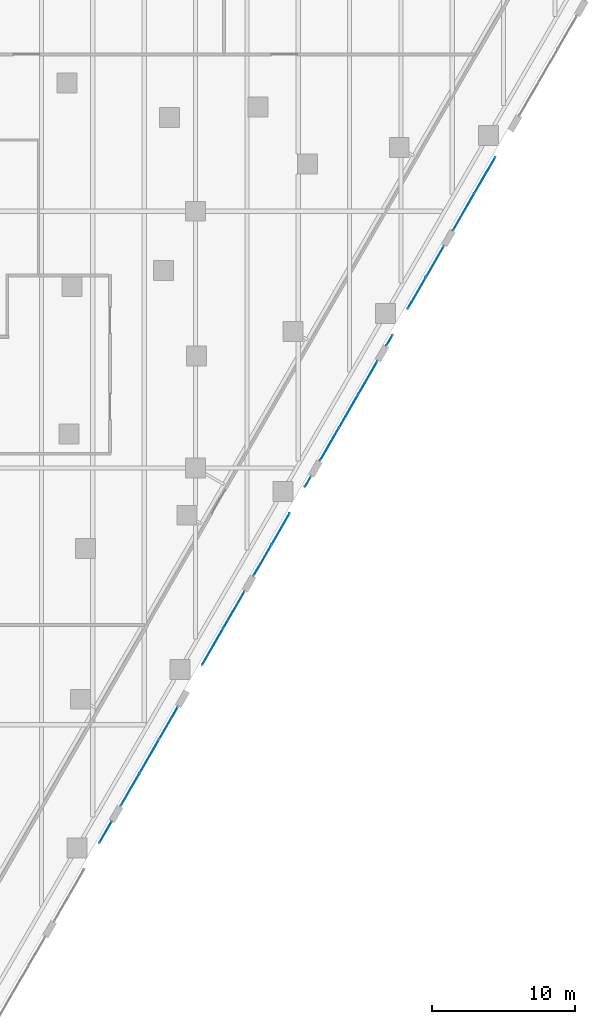
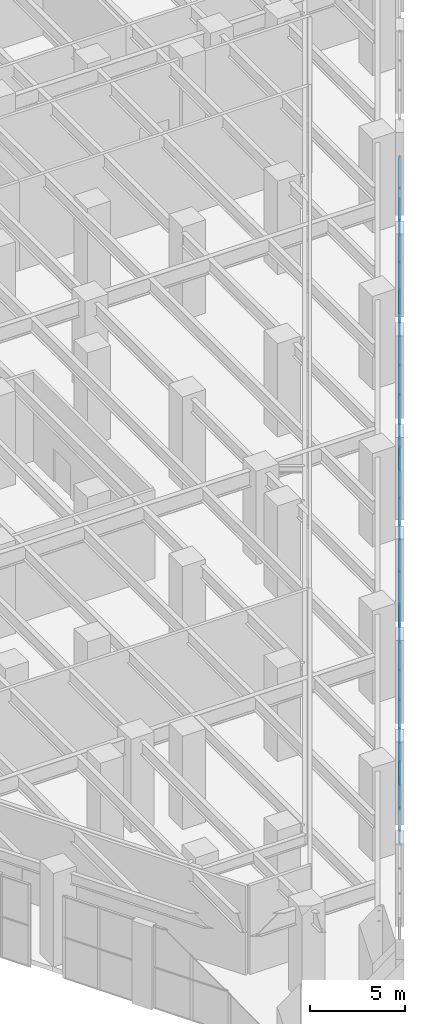
# One storey, part 27 of 37: 34 plates, 9 elements without a shape of their own.
"""IFC4 building model written with IfcOpenShell, lengths in metres."""

from ifc_helpers import new_model, si_unit, direction, frame, origin, origin_2d, place, context, subcontext, project, spatial, rectangle, extrude, material, layer, layer_set, type_object, element, aggregate, save


model = new_model("IFC4")

# Units and contexts
model_context = context("Model", 3, precision=1e-05, world=origin(), true_north=direction((0.0, 1.0)))
body_context = subcontext(model_context, "Body", "Model", "MODEL_VIEW")
ifc_project = project(units=[si_unit("LENGTHUNIT", "METRE"), si_unit("AREAUNIT", "SQUARE_METRE"), si_unit("VOLUMEUNIT", "CUBIC_METRE"), si_unit("PLANEANGLEUNIT", "RADIAN"), si_unit("MASSUNIT", "GRAM", prefix="KILO")], contexts=[model_context])

# Site, building, storey
site_placement = place(None, origin())
site = spatial("IfcSite", under=ifc_project, at=site_placement, CompositionType="ELEMENT")
building_placement = place(site_placement, origin())
building = spatial("IfcBuilding", under=site, at=building_placement, Name="Aloe Facet Convention Tower", CompositionType="ELEMENT")
storey_placement = place(building_placement, frame((0.0, 0.0, 7.5)))
storey = spatial("IfcBuildingStorey", under=building, at=storey_placement, Name="L01", CompositionType="ELEMENT", Elevation=7.5)

# Curtain wall, plates
ifc_material_1 = material(Name="Aluminium, anodised", Category="aluminium")
curtain_wall_type = type_object("IfcCurtainWallType", Name="EV-CW-SHOP", PredefinedType="USERDEFINED", material=ifc_material_1)
curtain_wall_1_placement = place(storey_placement, origin())
curtain_wall_1 = element("IfcCurtainWall", 1, at=curtain_wall_1_placement, inside=storey, type_object=curtain_wall_type, Name="CW-L01-E04-2", ObjectType="STICK SHOPFRONT GLAZING", PredefinedType="USERDEFINED")
ifc_material_2 = material(Name="Clear double glazing", Category="glass")
ifc_layer = layer(ifc_material_2, 0.028076171875)
ifc_layer_set = layer_set([ifc_layer], Name="EV-PANEL-SHOP")
plate_type = type_object("IfcPlateType", Name="EV-PANEL-SHOP", PredefinedType="CURTAIN_PANEL", material=ifc_layer_set)
plate_1_placement = place(storey_placement, frame((91.67822265625, 55.447998046875, -0.23974609375), z_axis=(0.0, 0.0, 1.0), x_axis=(0.500000000121, 0.866025403715, 0.0)))
plate_1 = element("IfcPlate", 2, at=plate_1_placement, type_object=plate_type, Name="CW-L01-E04-2 panel 1.1", PredefinedType="CURTAIN_PANEL", context=body_context, shape_type="SweptSolid", body=[
    extrude(rectangle(XDim=1.6728515625, YDim=0.028076171875, at=origin_2d()), origin(), (0.0, 0.0, 1.0), 2.566162109375),
])
plate_2_placement = place(storey_placement, frame((91.67822265625, 55.447998046875, 2.38623046875), z_axis=(0.0, 0.0, 1.0), x_axis=(0.500000000121, 0.866025403715, 0.0)))
plate_2 = element("IfcPlate", 3, at=plate_2_placement, type_object=plate_type, Name="CW-L01-E04-2 panel 1.2", PredefinedType="CURTAIN_PANEL", context=body_context, shape_type="SweptSolid", body=[
    extrude(rectangle(XDim=1.6728515625, YDim=0.028076171875, at=origin_2d()), origin(), (0.0, 0.0, 1.0), 2.566162109375),
])
aggregate(curtain_wall_1, [plate_1, plate_2])

curtain_wall_2_placement = place(storey_placement, origin())
curtain_wall_2 = element("IfcCurtainWall", 4, at=curtain_wall_2_placement, inside=storey, type_object=curtain_wall_type, Name="CW-L01-E06", ObjectType="STICK SHOPFRONT GLAZING", PredefinedType="USERDEFINED")
plate_3_placement = place(storey_placement, frame((93.410888671875, 58.44873046875, -0.23974609375), z_axis=(0.0, 0.0, 1.0), x_axis=(0.499999999924, 0.866025403828, 0.0)))
plate_3 = element("IfcPlate", 5, at=plate_3_placement, type_object=plate_type, Name="CW-L01-E06 panel 1.1", PredefinedType="CURTAIN_PANEL", context=body_context, shape_type="SweptSolid", body=[
    extrude(rectangle(XDim=2.6171875, YDim=0.028076171875, at=origin_2d()), origin(), (0.0, 0.0, 1.0), 2.566162109375),
])
plate_4_placement = place(storey_placement, frame((93.410888671875, 58.44873046875, 2.38623046875), z_axis=(0.0, 0.0, 1.0), x_axis=(0.499999999924, 0.866025403828, 0.0)))
plate_4 = element("IfcPlate", 6, at=plate_4_placement, type_object=plate_type, Name="CW-L01-E06 panel 1.2", PredefinedType="CURTAIN_PANEL", context=body_context, shape_type="SweptSolid", body=[
    extrude(rectangle(XDim=2.6171875, YDim=0.028076171875, at=origin_2d()), origin(), (0.0, 0.0, 1.0), 2.566162109375),
])
plate_5_placement = place(storey_placement, frame((94.7568359375, 60.780029296875, -0.23974609375), z_axis=(0.0, 0.0, 1.0), x_axis=(0.499999999924, 0.866025403828, 0.0)))
plate_5 = element("IfcPlate", 7, at=plate_5_placement, type_object=plate_type, Name="CW-L01-E06 panel 2.1", PredefinedType="CURTAIN_PANEL", context=body_context, shape_type="SweptSolid", body=[
    extrude(rectangle(XDim=2.647216796875, YDim=0.028076171875, at=origin_2d()), origin(), (0.0, 0.0, 1.0), 2.566162109375),
])
plate_6_placement = place(storey_placement, frame((94.7568359375, 60.780029296875, 2.38623046875), z_axis=(0.0, 0.0, 1.0), x_axis=(0.499999999924, 0.866025403828, 0.0)))
plate_6 = element("IfcPlate", 8, at=plate_6_placement, type_object=plate_type, Name="CW-L01-E06 panel 2.2", PredefinedType="CURTAIN_PANEL", context=body_context, shape_type="SweptSolid", body=[
    extrude(rectangle(XDim=2.647216796875, YDim=0.028076171875, at=origin_2d()), origin(), (0.0, 0.0, 1.0), 2.566162109375),
])
plate_7_placement = place(storey_placement, frame((96.10302734375, 63.111572265625, -0.23974609375), z_axis=(0.0, 0.0, 1.0), x_axis=(0.499999999924, 0.866025403828, 0.0)))
plate_7 = element("IfcPlate", 9, at=plate_7_placement, type_object=plate_type, Name="CW-L01-E06 panel 3.1", PredefinedType="CURTAIN_PANEL", context=body_context, shape_type="SweptSolid", body=[
    extrude(rectangle(XDim=2.6171875, YDim=0.028076171875, at=origin_2d()), origin(), (0.0, 0.0, 1.0), 2.566162109375),
])
plate_8_placement = place(storey_placement, frame((96.10302734375, 63.111572265625, 2.38623046875), z_axis=(0.0, 0.0, 1.0), x_axis=(0.499999999924, 0.866025403828, 0.0)))
plate_8 = element("IfcPlate", 10, at=plate_8_placement, type_object=plate_type, Name="CW-L01-E06 panel 3.2", PredefinedType="CURTAIN_PANEL", context=body_context, shape_type="SweptSolid", body=[
    extrude(rectangle(XDim=2.6171875, YDim=0.028076171875, at=origin_2d()), origin(), (0.0, 0.0, 1.0), 2.566162109375),
])
aggregate(curtain_wall_2, [plate_3, plate_4, plate_5, plate_6, plate_7, plate_8])

curtain_wall_3_placement = place(storey_placement, origin())
curtain_wall_3 = element("IfcCurtainWall", 11, at=curtain_wall_3_placement, inside=storey, type_object=curtain_wall_type, Name="CW-L01-E08", ObjectType="STICK SHOPFRONT GLAZING", PredefinedType="USERDEFINED")
plate_9_placement = place(storey_placement, frame((99.1982421875, 68.47314453125, -0.23974609375), z_axis=(0.0, 0.0, 1.0), x_axis=(0.50000000003, 0.866025403767, 0.0)))
plate_9 = element("IfcPlate", 12, at=plate_9_placement, type_object=plate_type, Name="CW-L01-E08 panel 1.1", PredefinedType="CURTAIN_PANEL", context=body_context, shape_type="SweptSolid", body=[
    extrude(rectangle(XDim=2.91943359375, YDim=0.028076171875, at=origin_2d()), origin(), (0.0, 0.0, 1.0), 2.566162109375),
])
plate_10_placement = place(storey_placement, frame((99.1982421875, 68.47314453125, 2.38623046875), z_axis=(0.0, 0.0, 1.0), x_axis=(0.50000000003, 0.866025403767, 0.0)))
plate_10 = element("IfcPlate", 13, at=plate_10_placement, type_object=plate_type, Name="CW-L01-E08 panel 1.2", PredefinedType="CURTAIN_PANEL", context=body_context, shape_type="SweptSolid", body=[
    extrude(rectangle(XDim=2.91943359375, YDim=0.028076171875, at=origin_2d()), origin(), (0.0, 0.0, 1.0), 2.566162109375),
])
plate_11_placement = place(storey_placement, frame((100.68798828125, 71.05322265625, -0.23974609375), z_axis=(0.0, 0.0, 1.0), x_axis=(0.50000000003, 0.866025403767, 0.0)))
plate_11 = element("IfcPlate", 14, at=plate_11_placement, type_object=plate_type, Name="CW-L01-E08 panel 2.1", PredefinedType="CURTAIN_PANEL", context=body_context, shape_type="SweptSolid", body=[
    extrude(rectangle(XDim=2.91943359375, YDim=0.028076171875, at=origin_2d()), origin(), (0.0, 0.0, 1.0), 2.566162109375),
])
plate_12_placement = place(storey_placement, frame((100.68798828125, 71.05322265625, 2.38623046875), z_axis=(0.0, 0.0, 1.0), x_axis=(0.50000000003, 0.866025403767, 0.0)))
plate_12 = element("IfcPlate", 15, at=plate_12_placement, type_object=plate_type, Name="CW-L01-E08 panel 2.2", PredefinedType="CURTAIN_PANEL", context=body_context, shape_type="SweptSolid", body=[
    extrude(rectangle(XDim=2.91943359375, YDim=0.028076171875, at=origin_2d()), origin(), (0.0, 0.0, 1.0), 2.566162109375),
])
aggregate(curtain_wall_3, [plate_9, plate_10, plate_11, plate_12])

curtain_wall_4_placement = place(storey_placement, origin())
curtain_wall_4 = element("IfcCurtainWall", 16, at=curtain_wall_4_placement, inside=storey, type_object=curtain_wall_type, Name="CW-L01-E10-1", ObjectType="STICK SHOPFRONT GLAZING", PredefinedType="USERDEFINED")
plate_13_placement = place(storey_placement, frame((102.698974609375, 74.536376953125, -0.23974609375), z_axis=(0.0, 0.0, 1.0), x_axis=(0.50000000003, 0.866025403767, 0.0)))
plate_13 = element("IfcPlate", 17, at=plate_13_placement, type_object=plate_type, Name="CW-L01-E10-1 panel 1.1", PredefinedType="CURTAIN_PANEL", context=body_context, shape_type="SweptSolid", body=[
    extrude(rectangle(XDim=2.484619140625, YDim=0.028076171875, at=origin_2d()), origin(), (0.0, 0.0, 1.0), 2.566162109375),
])
plate_14_placement = place(storey_placement, frame((102.698974609375, 74.536376953125, 2.38623046875), z_axis=(0.0, 0.0, 1.0), x_axis=(0.50000000003, 0.866025403767, 0.0)))
plate_14 = element("IfcPlate", 18, at=plate_14_placement, type_object=plate_type, Name="CW-L01-E10-1 panel 1.2", PredefinedType="CURTAIN_PANEL", context=body_context, shape_type="SweptSolid", body=[
    extrude(rectangle(XDim=2.484619140625, YDim=0.028076171875, at=origin_2d()), origin(), (0.0, 0.0, 1.0), 2.566162109375),
])
plate_15_placement = place(storey_placement, frame((103.971435546875, 76.740234375, -0.23974609375), z_axis=(0.0, 0.0, 1.0), x_axis=(0.50000000003, 0.866025403767, 0.0)))
plate_15 = element("IfcPlate", 19, at=plate_15_placement, type_object=plate_type, Name="CW-L01-E10-1 panel 2.1", PredefinedType="CURTAIN_PANEL", context=body_context, shape_type="SweptSolid", body=[
    extrude(rectangle(XDim=2.484619140625, YDim=0.028076171875, at=origin_2d()), origin(), (0.0, 0.0, 1.0), 2.566162109375),
])
plate_16_placement = place(storey_placement, frame((103.971435546875, 76.740234375, 2.38623046875), z_axis=(0.0, 0.0, 1.0), x_axis=(0.50000000003, 0.866025403767, 0.0)))
plate_16 = element("IfcPlate", 20, at=plate_16_placement, type_object=plate_type, Name="CW-L01-E10-1 panel 2.2", PredefinedType="CURTAIN_PANEL", context=body_context, shape_type="SweptSolid", body=[
    extrude(rectangle(XDim=2.484619140625, YDim=0.028076171875, at=origin_2d()), origin(), (0.0, 0.0, 1.0), 2.566162109375),
])
aggregate(curtain_wall_4, [plate_13, plate_14, plate_15, plate_16])

curtain_wall_5_placement = place(storey_placement, origin())
curtain_wall_5 = element("IfcCurtainWall", 21, at=curtain_wall_5_placement, inside=storey, type_object=curtain_wall_type, Name="CW-L01-E10-2", ObjectType="STICK SHOPFRONT GLAZING", PredefinedType="USERDEFINED")
plate_17_placement = place(storey_placement, frame((105.8779296875, 80.042236328125, -0.23974609375), z_axis=(0.0, 0.0, 1.0), x_axis=(0.499999999849, 0.866025403872, 0.0)))
plate_17 = element("IfcPlate", 22, at=plate_17_placement, type_object=plate_type, Name="CW-L01-E10-2 panel 1.1", PredefinedType="CURTAIN_PANEL", context=body_context, shape_type="SweptSolid", body=[
    extrude(rectangle(XDim=0.802978515625, YDim=0.028076171875, at=origin_2d()), origin(), (0.0, 0.0, 1.0), 2.566162109375),
])
plate_18_placement = place(storey_placement, frame((105.8779296875, 80.042236328125, 2.38623046875), z_axis=(0.0, 0.0, 1.0), x_axis=(0.499999999849, 0.866025403872, 0.0)))
plate_18 = element("IfcPlate", 23, at=plate_18_placement, type_object=plate_type, Name="CW-L01-E10-2 panel 1.2", PredefinedType="CURTAIN_PANEL", context=body_context, shape_type="SweptSolid", body=[
    extrude(rectangle(XDim=0.802978515625, YDim=0.028076171875, at=origin_2d()), origin(), (0.0, 0.0, 1.0), 2.566162109375),
])
aggregate(curtain_wall_5, [plate_17, plate_18])

curtain_wall_6_placement = place(storey_placement, origin())
curtain_wall_6 = element("IfcCurtainWall", 24, at=curtain_wall_6_placement, inside=storey, type_object=curtain_wall_type, Name="CW-L01-E12", ObjectType="STICK SHOPFRONT GLAZING", PredefinedType="USERDEFINED")
plate_19_placement = place(storey_placement, frame((107.392822265625, 82.666259765625, -0.23974609375), z_axis=(0.0, 0.0, 1.0), x_axis=(0.500000000015, 0.866025403776, 0.0)))
plate_19 = element("IfcPlate", 25, at=plate_19_placement, type_object=plate_type, Name="CW-L01-E12 panel 1.1", PredefinedType="CURTAIN_PANEL", context=body_context, shape_type="SweptSolid", body=[
    extrude(rectangle(XDim=2.6171875, YDim=0.028076171875, at=origin_2d()), origin(), (0.0, 0.0, 1.0), 2.566162109375),
])
plate_20_placement = place(storey_placement, frame((107.392822265625, 82.666259765625, 2.38623046875), z_axis=(0.0, 0.0, 1.0), x_axis=(0.500000000015, 0.866025403776, 0.0)))
plate_20 = element("IfcPlate", 26, at=plate_20_placement, type_object=plate_type, Name="CW-L01-E12 panel 1.2", PredefinedType="CURTAIN_PANEL", context=body_context, shape_type="SweptSolid", body=[
    extrude(rectangle(XDim=2.6171875, YDim=0.028076171875, at=origin_2d()), origin(), (0.0, 0.0, 1.0), 2.566162109375),
])
plate_21_placement = place(storey_placement, frame((108.739013671875, 84.997802734375, -0.23974609375), z_axis=(0.0, 0.0, 1.0), x_axis=(0.500000000015, 0.866025403776, 0.0)))
plate_21 = element("IfcPlate", 27, at=plate_21_placement, type_object=plate_type, Name="CW-L01-E12 panel 2.1", PredefinedType="CURTAIN_PANEL", context=body_context, shape_type="SweptSolid", body=[
    extrude(rectangle(XDim=2.647216796875, YDim=0.028076171875, at=origin_2d()), origin(), (0.0, 0.0, 1.0), 2.566162109375),
])
plate_22_placement = place(storey_placement, frame((108.739013671875, 84.997802734375, 2.38623046875), z_axis=(0.0, 0.0, 1.0), x_axis=(0.500000000015, 0.866025403776, 0.0)))
plate_22 = element("IfcPlate", 28, at=plate_22_placement, type_object=plate_type, Name="CW-L01-E12 panel 2.2", PredefinedType="CURTAIN_PANEL", context=body_context, shape_type="SweptSolid", body=[
    extrude(rectangle(XDim=2.647216796875, YDim=0.028076171875, at=origin_2d()), origin(), (0.0, 0.0, 1.0), 2.566162109375),
])
plate_23_placement = place(storey_placement, frame((110.0849609375, 87.3291015625, -0.23974609375), z_axis=(0.0, 0.0, 1.0), x_axis=(0.500000000015, 0.866025403776, 0.0)))
plate_23 = element("IfcPlate", 29, at=plate_23_placement, type_object=plate_type, Name="CW-L01-E12 panel 3.1", PredefinedType="CURTAIN_PANEL", context=body_context, shape_type="SweptSolid", body=[
    extrude(rectangle(XDim=2.6171875, YDim=0.028076171875, at=origin_2d()), origin(), (0.0, 0.0, 1.0), 2.566162109375),
])
plate_24_placement = place(storey_placement, frame((110.0849609375, 87.3291015625, 2.38623046875), z_axis=(0.0, 0.0, 1.0), x_axis=(0.500000000015, 0.866025403776, 0.0)))
plate_24 = element("IfcPlate", 30, at=plate_24_placement, type_object=plate_type, Name="CW-L01-E12 panel 3.2", PredefinedType="CURTAIN_PANEL", context=body_context, shape_type="SweptSolid", body=[
    extrude(rectangle(XDim=2.6171875, YDim=0.028076171875, at=origin_2d()), origin(), (0.0, 0.0, 1.0), 2.566162109375),
])
aggregate(curtain_wall_6, [plate_19, plate_20, plate_21, plate_22, plate_23, plate_24])

curtain_wall_7_placement = place(storey_placement, origin())
curtain_wall_7 = element("IfcCurtainWall", 31, at=curtain_wall_7_placement, inside=storey, type_object=curtain_wall_type, Name="CW-L01-E14-1", ObjectType="STICK SHOPFRONT GLAZING", PredefinedType="USERDEFINED")
plate_25_placement = place(storey_placement, frame((111.60009765625, 89.95361328125, -0.23974609375), z_axis=(0.0, 0.0, 1.0), x_axis=(0.499999999849, 0.866025403872, 0.0)))
plate_25 = element("IfcPlate", 32, at=plate_25_placement, type_object=plate_type, Name="CW-L01-E14-1 panel 1.1", PredefinedType="CURTAIN_PANEL", context=body_context, shape_type="SweptSolid", body=[
    extrude(rectangle(XDim=0.803466796875, YDim=0.028076171875, at=origin_2d()), origin(), (0.0, 0.0, 1.0), 2.566162109375),
])
plate_26_placement = place(storey_placement, frame((111.60009765625, 89.95361328125, 2.38623046875), z_axis=(0.0, 0.0, 1.0), x_axis=(0.499999999849, 0.866025403872, 0.0)))
plate_26 = element("IfcPlate", 33, at=plate_26_placement, type_object=plate_type, Name="CW-L01-E14-1 panel 1.2", PredefinedType="CURTAIN_PANEL", context=body_context, shape_type="SweptSolid", body=[
    extrude(rectangle(XDim=0.803466796875, YDim=0.028076171875, at=origin_2d()), origin(), (0.0, 0.0, 1.0), 2.566162109375),
])
aggregate(curtain_wall_7, [plate_25, plate_26])

curtain_wall_8_placement = place(storey_placement, origin())
curtain_wall_8 = element("IfcCurtainWall", 34, at=curtain_wall_8_placement, inside=storey, type_object=curtain_wall_type, Name="CW-L01-E14-2", ObjectType="STICK SHOPFRONT GLAZING", PredefinedType="USERDEFINED")
plate_27_placement = place(storey_placement, frame((113.506591796875, 93.255615234375, -0.23974609375), z_axis=(0.0, 0.0, 1.0), x_axis=(0.500000000121, 0.866025403715, 0.0)))
plate_27 = element("IfcPlate", 35, at=plate_27_placement, type_object=plate_type, Name="CW-L01-E14-2 panel 1.1", PredefinedType="CURTAIN_PANEL", context=body_context, shape_type="SweptSolid", body=[
    extrude(rectangle(XDim=2.484375, YDim=0.028076171875, at=origin_2d()), origin(), (0.0, 0.0, 1.0), 2.566162109375),
])
plate_28_placement = place(storey_placement, frame((113.506591796875, 93.255615234375, 2.38623046875), z_axis=(0.0, 0.0, 1.0), x_axis=(0.500000000121, 0.866025403715, 0.0)))
plate_28 = element("IfcPlate", 36, at=plate_28_placement, type_object=plate_type, Name="CW-L01-E14-2 panel 1.2", PredefinedType="CURTAIN_PANEL", context=body_context, shape_type="SweptSolid", body=[
    extrude(rectangle(XDim=2.484375, YDim=0.028076171875, at=origin_2d()), origin(), (0.0, 0.0, 1.0), 2.566162109375),
])
plate_29_placement = place(storey_placement, frame((114.77880859375, 95.459228515625, -0.23974609375), z_axis=(0.0, 0.0, 1.0), x_axis=(0.500000000121, 0.866025403715, 0.0)))
plate_29 = element("IfcPlate", 37, at=plate_29_placement, type_object=plate_type, Name="CW-L01-E14-2 panel 2.1", PredefinedType="CURTAIN_PANEL", context=body_context, shape_type="SweptSolid", body=[
    extrude(rectangle(XDim=2.484375, YDim=0.028076171875, at=origin_2d()), origin(), (0.0, 0.0, 1.0), 2.566162109375),
])
plate_30_placement = place(storey_placement, frame((114.77880859375, 95.459228515625, 2.38623046875), z_axis=(0.0, 0.0, 1.0), x_axis=(0.500000000121, 0.866025403715, 0.0)))
plate_30 = element("IfcPlate", 38, at=plate_30_placement, type_object=plate_type, Name="CW-L01-E14-2 panel 2.2", PredefinedType="CURTAIN_PANEL", context=body_context, shape_type="SweptSolid", body=[
    extrude(rectangle(XDim=2.484375, YDim=0.028076171875, at=origin_2d()), origin(), (0.0, 0.0, 1.0), 2.566162109375),
])
aggregate(curtain_wall_8, [plate_27, plate_28, plate_29, plate_30])

curtain_wall_9_placement = place(storey_placement, origin())
curtain_wall_9 = element("IfcCurtainWall", 39, at=curtain_wall_9_placement, inside=storey, type_object=curtain_wall_type, Name="CW-L01-E16", ObjectType="STICK SHOPFRONT GLAZING", PredefinedType="USERDEFINED")
plate_31_placement = place(storey_placement, frame((116.789794921875, 98.942138671875, -0.23974609375), z_axis=(0.0, 0.0, 1.0), x_axis=(0.499999999924, 0.866025403828, 0.0)))
plate_31 = element("IfcPlate", 40, at=plate_31_placement, type_object=plate_type, Name="CW-L01-E16 panel 1.1", PredefinedType="CURTAIN_PANEL", context=body_context, shape_type="SweptSolid", body=[
    extrude(rectangle(XDim=2.919189453125, YDim=0.028076171875, at=origin_2d()), origin(), (0.0, 0.0, 1.0), 2.566162109375),
])
plate_32_placement = place(storey_placement, frame((116.789794921875, 98.942138671875, 2.38623046875), z_axis=(0.0, 0.0, 1.0), x_axis=(0.499999999924, 0.866025403828, 0.0)))
plate_32 = element("IfcPlate", 41, at=plate_32_placement, type_object=plate_type, Name="CW-L01-E16 panel 1.2", PredefinedType="CURTAIN_PANEL", context=body_context, shape_type="SweptSolid", body=[
    extrude(rectangle(XDim=2.919189453125, YDim=0.028076171875, at=origin_2d()), origin(), (0.0, 0.0, 1.0), 2.566162109375),
])
plate_33_placement = place(storey_placement, frame((118.279296875, 101.522216796875, -0.23974609375), z_axis=(0.0, 0.0, 1.0), x_axis=(0.499999999924, 0.866025403828, 0.0)))
plate_33 = element("IfcPlate", 42, at=plate_33_placement, type_object=plate_type, Name="CW-L01-E16 panel 2.1", PredefinedType="CURTAIN_PANEL", context=body_context, shape_type="SweptSolid", body=[
    extrude(rectangle(XDim=2.919189453125, YDim=0.028076171875, at=origin_2d()), origin(), (0.0, 0.0, 1.0), 2.566162109375),
])
plate_34_placement = place(storey_placement, frame((118.279296875, 101.522216796875, 2.38623046875), z_axis=(0.0, 0.0, 1.0), x_axis=(0.499999999924, 0.866025403828, 0.0)))
plate_34 = element("IfcPlate", 43, at=plate_34_placement, type_object=plate_type, Name="CW-L01-E16 panel 2.2", PredefinedType="CURTAIN_PANEL", context=body_context, shape_type="SweptSolid", body=[
    extrude(rectangle(XDim=2.919189453125, YDim=0.028076171875, at=origin_2d()), origin(), (0.0, 0.0, 1.0), 2.566162109375),
])
aggregate(curtain_wall_9, [plate_31, plate_32, plate_33, plate_34])

save(model, "model.ifc")
